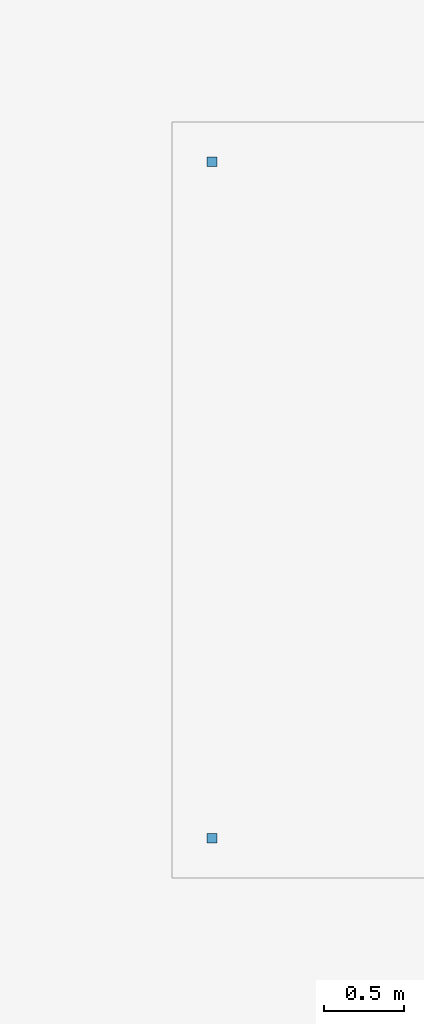
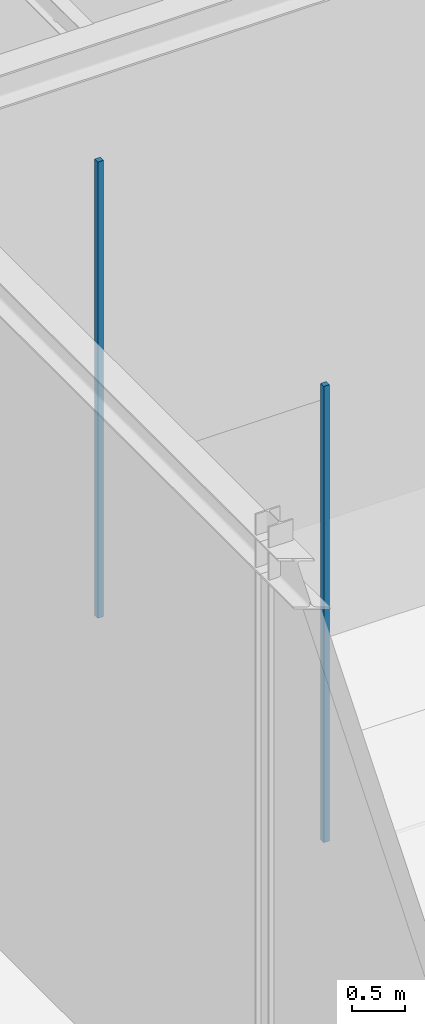
# One storey, part 105 of 138: 2 discrete accessories.
"""IFC4 building model written with IfcOpenShell, lengths in metres."""

from ifc_helpers import new_model, si_unit, direction, frame, origin, origin_2d, place, context, subcontext, project, spatial, rectangle, extrude, material, type_object, element, save


model = new_model("IFC4")

# Units and contexts
model_context = context("Model", 3, precision=1e-05, world=origin(), true_north=direction((0.0, 1.0)))
body_context = subcontext(model_context, "Body", "Model", "MODEL_VIEW")
ifc_project = project(units=[si_unit("LENGTHUNIT", "METRE"), si_unit("AREAUNIT", "SQUARE_METRE"), si_unit("VOLUMEUNIT", "CUBIC_METRE"), si_unit("PLANEANGLEUNIT", "RADIAN"), si_unit("MASSUNIT", "GRAM", prefix="KILO")], contexts=[model_context])

# Site, building, storey
site_placement = place(None, origin())
site = spatial("IfcSite", under=ifc_project, at=site_placement, CompositionType="ELEMENT")
building_placement = place(site_placement, origin())
building = spatial("IfcBuilding", under=site, at=building_placement, Name="Sundkrona Museum", CompositionType="ELEMENT")
storey_placement = place(building_placement, frame((0.0, 0.0, 9.60009765625)))
storey = spatial("IfcBuildingStorey", under=building, at=storey_placement, Name="L02", CompositionType="ELEMENT", Elevation=9.60009765625)

# Discrete accessories
ifc_material = material(Name="Stainless Steel EN 1.4404 Cleat", Category="steel")
discrete_accessory_type = type_object("IfcDiscreteAccessoryType", Name="BRK-FIN-01", PredefinedType="BRACKET", material=ifc_material)
for number, where, z_axis, x_axis, name in (
    (1, (57.64990234375, 87.89990234375, 2.5498046875), (0.0, 0.0, 1.0), (1.0, 0.0, 0.0), "L02 Temporary Exhibition Hall Ceiling Hanger 1"),
    (2, (57.64990234375, 92.14990234375, 2.5498046875), (0.0, 0.0, 1.0), (1.0, 0.0, 0.0), "L02 Temporary Exhibition Hall Ceiling Hanger 4"),
):
    element("IfcDiscreteAccessory", number, at=place(storey_placement, frame(where, z_axis=z_axis, x_axis=x_axis)), inside=storey, type_object=discrete_accessory_type, Name=name, PredefinedType="BRACKET", context=body_context, shape_type="SweptSolid", body=[
        extrude(rectangle(XDim=0.06005859375, YDim=0.06005859375, at=origin_2d()), origin(), (0.0, 0.0, 1.0), 5.239990234375),
    ])

save(model, "model.ifc")
